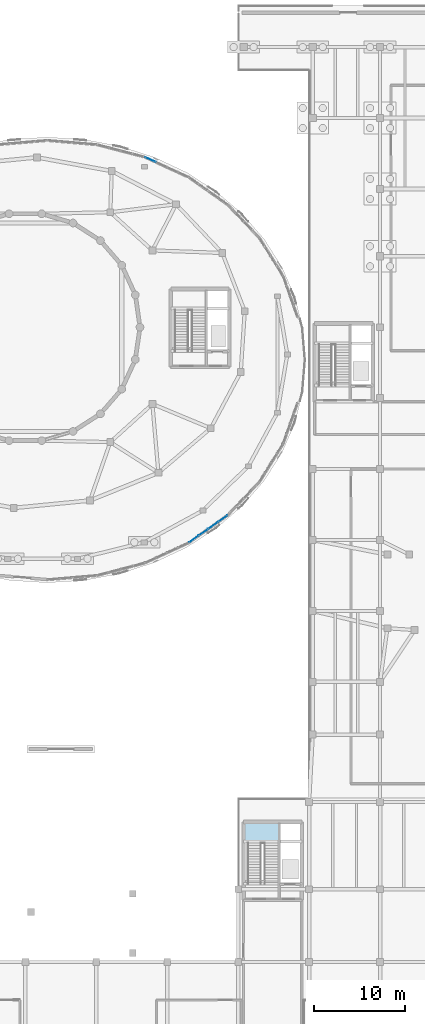
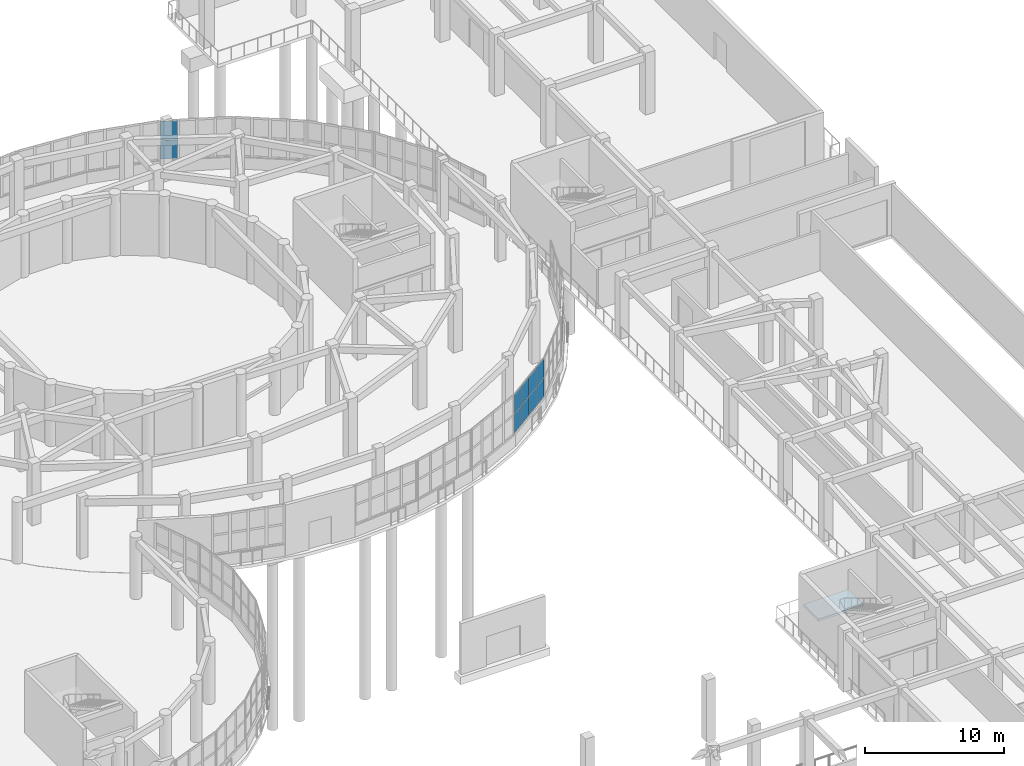
# One storey, part 67 of 96: 10 plates, 1 slab, 3 elements without a shape of their own.
"""IFC4 building model written with IfcOpenShell, lengths in metres."""

import ifcopenshell
import ifcopenshell.guid

model = None  # the IFC model being written
_history = None  # IfcOwnerHistory: only IFC2X3 demands one
_inside = {}  # id of a spatial element -> (the spatial element, [elements in it])
_under = {}  # id of a project, library or spatial element -> (it, [spatial elements below it])
_declared = {}  # id of a project -> (the project, [libraries it declares])
_typed = {}  # id of a type object -> (the type object, [elements of that type])
_made_of = {}  # id of a material, layer set ... -> (it, [elements and type objects made of it])


def new_model(schema):
    """Start an empty IFC model of exactly this schema.

    Asked for "IFC4X3", IfcOpenShell would pick the latest addendum, in which some entities
    have other attributes; the version numbers below select the first issue.
    IFC2X3 requires an IfcOwnerHistory on every rooted entity: one is made here for all.
    """
    global model, _history
    if schema == "IFC4X3":
        model = ifcopenshell.file(schema_version=(4, 3, 0, 0))
    else:
        model = ifcopenshell.file(schema=schema)
    _inside.clear()
    _under.clear()
    _declared.clear()
    _typed.clear()
    _made_of.clear()
    _history = None
    if model.schema == "IFC2X3":
        org = make("IfcOrganization", Name="unknown")
        user = make(
            "IfcPersonAndOrganization",
            ThePerson=make("IfcPerson", FamilyName="unknown"),
            TheOrganization=org,
        )
        app = make(
            "IfcApplication",
            ApplicationDeveloper=org,
            Version="unknown",
            ApplicationFullName="unknown",
            ApplicationIdentifier="unknown",
        )
        _history = make(
            "IfcOwnerHistory",
            OwningUser=user,
            OwningApplication=app,
            ChangeAction="ADDED",
            CreationDate=0,
        )
    return model


def make(cls, **values):
    """One entity of the class cls with the attributes given. An attribute that is None is left unset."""
    return model.create_entity(
        cls, **{name: value for name, value in values.items() if value is not None}
    )


def rooted(cls, **values):
    """An entity with a GlobalId (a new one), such as an element, a storey or a relation."""
    return make(cls, GlobalId=ifcopenshell.guid.new(), OwnerHistory=_history, **values)


def si_unit(unit_type, name, prefix=None):
    """IfcSIUnit, for example si_unit("LENGTHUNIT", "METRE", prefix="MILLI")."""
    return make("IfcSIUnit", UnitType=unit_type, Prefix=prefix, Name=name)


def assignment(units):
    """IfcUnitAssignment: the units of a project."""
    return None if units is None else make("IfcUnitAssignment", Units=units)


def point(xyz):
    """IfcCartesianPoint."""
    return None if xyz is None else make("IfcCartesianPoint", Coordinates=xyz)


def direction(xyz):
    """IfcDirection."""
    return None if xyz is None else make("IfcDirection", DirectionRatios=xyz)


def frame(location, z_axis=None, x_axis=None):
    """IfcAxis2Placement3D, a coordinate frame: its origin and axes. An axis left out is left unset."""
    return make(
        "IfcAxis2Placement3D",
        Location=point(location),
        Axis=direction(z_axis),
        RefDirection=direction(x_axis),
    )


def frame_2d(location, x_axis=None):
    """IfcAxis2Placement2D, a coordinate frame in the plane: its origin and x axis."""
    return make(
        "IfcAxis2Placement2D", Location=point(location), RefDirection=direction(x_axis)
    )


def origin():
    """The frame at (0, 0, 0) with its axes left unset."""
    return frame((0.0, 0.0, 0.0))


def origin_2d():
    """The frame at (0, 0) in the plane with its x axis left unset."""
    return frame_2d((0.0, 0.0))


def place(relative_to, where):
    """IfcLocalPlacement: puts the frame where relative to a parent placement (None: the world)."""
    return make(
        "IfcLocalPlacement", PlacementRelTo=relative_to, RelativePlacement=where
    )


def context(
    kind, dimensions, precision=None, world=None, true_north=None, identifier=None
):
    """IfcGeometricRepresentationContext, for example the 3D "Model" context."""
    return make(
        "IfcGeometricRepresentationContext",
        ContextIdentifier=identifier,
        ContextType=kind,
        CoordinateSpaceDimension=dimensions,
        Precision=precision,
        WorldCoordinateSystem=world,
        TrueNorth=true_north,
    )


def subcontext(parent, identifier, kind, view, scale=None):
    """IfcGeometricRepresentationSubContext, for example "Body" below "Model"."""
    return make(
        "IfcGeometricRepresentationSubContext",
        ContextIdentifier=identifier,
        ContextType=kind,
        ParentContext=parent,
        TargetScale=scale,
        TargetView=view,
    )


def project(units=None, contexts=None):
    """IfcProject with its units and contexts."""
    return rooted(
        "IfcProject",
        Name="project",
        RepresentationContexts=contexts,
        UnitsInContext=assignment(units),
    )


def spatial(cls, under=None, at=None, **own):
    """A site, building, storey or space (cls), placed at a placement, below another one or the project."""
    s = rooted(cls, ObjectPlacement=at, **own)
    if under is not None:
        _under.setdefault(under.id(), (under, []))[1].append(s)
    return s


def polyline(points):
    """IfcPolyline through the points."""
    return make("IfcPolyline", Points=[point(p) for p in points])


def profile(cls, at=None, kind="AREA", **sizes):
    """A parametric profile (cls). Its sizes go by their IFC names, for example OverallWidth=200.0."""
    return make(cls, ProfileType=kind, Position=at, **sizes)


def rectangle(**sizes):
    """IfcRectangleProfileDef."""
    return profile("IfcRectangleProfileDef", **sizes)


def outline(outer, holes=None, kind="AREA"):
    """IfcArbitraryClosedProfileDef: a profile drawn as a closed curve; with holes, ...WithVoids."""
    if holes is None:
        return make("IfcArbitraryClosedProfileDef", ProfileType=kind, OuterCurve=outer)
    return make(
        "IfcArbitraryProfileDefWithVoids",
        ProfileType=kind,
        OuterCurve=outer,
        InnerCurves=holes,
    )


def extrude(swept, where, along, depth):
    """IfcExtrudedAreaSolid: the profile swept, set in the frame where, extruded along a direction by depth."""
    return make(
        "IfcExtrudedAreaSolid",
        SweptArea=swept,
        Position=where,
        ExtrudedDirection=direction(along),
        Depth=depth,
    )


def shape(context_of_items, identifier, shape_type, items):
    """IfcShapeRepresentation: the items that make up one representation, for example the "Body"."""
    return make(
        "IfcShapeRepresentation",
        ContextOfItems=context_of_items,
        RepresentationIdentifier=identifier,
        RepresentationType=shape_type,
        Items=items,
    )


def material(Name=None, Category=None):
    """IfcMaterial."""
    return make("IfcMaterial", Name=Name, Category=Category)


def layer(
    of_material, thickness, ventilated=None, Name=None, Category=None, Priority=None
):
    """IfcMaterialLayer: one layer of a wall or slab, of a material (None: an air gap)."""
    return make(
        "IfcMaterialLayer",
        Material=of_material,
        LayerThickness=thickness,
        IsVentilated=ventilated,
        Name=Name,
        Category=Category,
        Priority=Priority,
    )


def layer_set(layers, Name=None):
    """IfcMaterialLayerSet."""
    return make("IfcMaterialLayerSet", MaterialLayers=layers, LayerSetName=Name)


def made_of(thing, what):
    """Note that an element or type object is made of a material, layer set ...; save() writes the relation."""
    if what is not None:
        _made_of.setdefault(what.id(), (what, []))[1].append(thing)
    return thing


def type_object(cls, material=None, **own):
    """A type object (cls), such as IfcWallType, which elements share."""
    return made_of(rooted(cls, **own), material)


def element(
    cls,
    number,
    at=None,
    inside=None,
    cuts=None,
    type_object=None,
    material=None,
    context=None,
    identifier="Body",
    shape_type=None,
    held_by="IfcProductDefinitionShape",
    body=None,
    shapes=None,
    **own,
):
    """One element of the class cls, such as IfcWall. Its Tag is "e" and its number.

    at: its placement. inside: the storey or other place that contains it. cuts: it is an
    opening in that element (IfcRelVoidsElement). A single representation is given by context,
    identifier, shape_type and body (its items); several are given by shapes. held_by: the class
    of the entity that holds the representations. save() writes the other relations.
    """
    e = rooted(cls, Tag="e%d" % number, ObjectPlacement=at, **own)
    if body is not None:
        shapes = [shape(context, identifier, shape_type, body)]
    if shapes is not None:
        e.Representation = make(held_by, Representations=shapes)
    if inside is not None:
        _inside.setdefault(inside.id(), (inside, []))[1].append(e)
    if cuts is not None:
        rooted(
            "IfcRelVoidsElement", RelatingBuildingElement=cuts, RelatedOpeningElement=e
        )
    if type_object is not None:
        _typed.setdefault(type_object.id(), (type_object, []))[1].append(e)
    return made_of(e, material)


def aggregate(whole, parts):
    """IfcRelAggregates: a whole, such as a stair, and the parts it consists of."""
    return rooted("IfcRelAggregates", RelatingObject=whole, RelatedObjects=parts)


def save(model, path):
    """Write the relations noted so far, then the file.

    IfcRelAggregates (storeys below a building ...), IfcRelContainedInSpatialStructure (elements
    in a storey), IfcRelDefinesByType, IfcRelAssociatesMaterial and IfcRelDeclares: one each for
    every whole, place, type object, material and project.
    """
    for whole, parts in _under.values():
        aggregate(whole, parts)
    for where, things in _inside.values():
        rooted(
            "IfcRelContainedInSpatialStructure",
            RelatedElements=things,
            RelatingStructure=where,
        )
    for kind, things in _typed.values():
        rooted("IfcRelDefinesByType", RelatedObjects=things, RelatingType=kind)
    for what, things in _made_of.values():
        rooted("IfcRelAssociatesMaterial", RelatedObjects=things, RelatingMaterial=what)
    for by, libraries in _declared.values():
        rooted("IfcRelDeclares", RelatingContext=by, RelatedDefinitions=libraries)
    model.write(path)


model = new_model("IFC4")

# Units and contexts
model_context = context("Model", 3, precision=1e-05, world=origin(), true_north=direction((0.0, 1.0)))
body_context = subcontext(model_context, "Body", "Model", "MODEL_VIEW")
ifc_project = project(units=[si_unit("LENGTHUNIT", "METRE"), si_unit("AREAUNIT", "SQUARE_METRE"), si_unit("VOLUMEUNIT", "CUBIC_METRE"), si_unit("PLANEANGLEUNIT", "RADIAN"), si_unit("MASSUNIT", "GRAM", prefix="KILO")], contexts=[model_context])

# Site, building, storey
site_placement = place(None, origin())
site = spatial("IfcSite", under=ifc_project, at=site_placement, CompositionType="ELEMENT")
building_placement = place(site_placement, origin())
building = spatial("IfcBuilding", under=site, at=building_placement, Name="Pelvatis Terrace Science Centre", CompositionType="ELEMENT")
storey_placement = place(building_placement, origin())
storey = spatial("IfcBuildingStorey", under=building, at=storey_placement, Name="L00", CompositionType="ELEMENT", Elevation=0.0)

# Curtain wall, plates
ifc_material_1 = material(Name="Bronze-anodised aluminium and laminated glass", Category="aluminium")
ifc_layer_1 = layer(ifc_material_1, 0.199951171875)
ifc_layer_set_1 = layer_set([ifc_layer_1], Name="Bronze-anodised aluminium and laminated glass")
curtain_wall_type = type_object("IfcCurtainWallType", Name="CW-RIBBON-B", PredefinedType="NOTDEFINED", material=ifc_layer_set_1)
curtain_wall_1_placement = place(storey_placement, origin())
curtain_wall_1 = element("IfcCurtainWall", 1, at=curtain_wall_1_placement, inside=storey, type_object=curtain_wall_type, Name="Ribbon curtain wall CW-105 (L00)", PredefinedType="NOTDEFINED")
ifc_material_2 = material(Name="Low-e laminated solar-control double glazing", Category="glass")
ifc_layer_2 = layer(ifc_material_2, 0.031982421875)
ifc_layer_set_2 = layer_set([ifc_layer_2], Name="Low-e laminated solar-control double glazing")
plate_type = type_object("IfcPlateType", Name="CWP-IGU-32", PredefinedType="CURTAIN_PANEL", material=ifc_layer_set_2)
plate_1_placement = place(storey_placement, frame((122.955322265625, 104.225830078125, 1.0849609375), z_axis=(0.0, 0.0, 1.0), x_axis=(-0.908421026067, 0.41805650264, 0.0)))
plate_1 = element("IfcPlate", 2, at=plate_1_placement, type_object=plate_type, Name="CW-105 panel 4.1", PredefinedType="CURTAIN_PANEL", context=body_context, shape_type="SweptSolid", body=[
    extrude(rectangle(XDim=1.237060546875, YDim=0.031982421875, at=origin_2d()), origin(), (0.0, 0.0, 1.0), 1.62255859375),
])
plate_2_placement = place(storey_placement, frame((122.955322265625, 104.225830078125, 2.7724609375), z_axis=(0.0, 0.0, 1.0), x_axis=(-0.908421026067, 0.41805650264, 0.0)))
plate_2 = element("IfcPlate", 3, at=plate_2_placement, type_object=plate_type, Name="CW-105 panel 4.2", PredefinedType="CURTAIN_PANEL", context=body_context, shape_type="SweptSolid", body=[
    extrude(rectangle(XDim=1.237060546875, YDim=0.031982421875, at=origin_2d()), origin(), (0.0, 0.0, 1.0), 1.62255859375),
])
aggregate(curtain_wall_1, [plate_1, plate_2])

curtain_wall_2_placement = place(storey_placement, origin())
curtain_wall_2 = element("IfcCurtainWall", 4, at=curtain_wall_2_placement, inside=storey, type_object=curtain_wall_type, Name="Ribbon curtain wall CW-122 (L00)", PredefinedType="NOTDEFINED")
plate_3_placement = place(storey_placement, frame((127.728271484375, 62.5048828125, 1.0849609375), z_axis=(0.0, 0.0, 1.0), x_axis=(0.816698338299, 0.577064835369, 0.0)))
plate_3 = element("IfcPlate", 5, at=plate_3_placement, type_object=plate_type, Name="CW-122 panel 1.1", PredefinedType="CURTAIN_PANEL", context=body_context, shape_type="SweptSolid", body=[
    extrude(rectangle(XDim=1.20361328125, YDim=0.031982421875, at=origin_2d()), origin(), (0.0, 0.0, 1.0), 1.62255859375),
])
plate_4_placement = place(storey_placement, frame((127.728271484375, 62.5048828125, 2.7724609375), z_axis=(0.0, 0.0, 1.0), x_axis=(0.816698338299, 0.577064835369, 0.0)))
plate_4 = element("IfcPlate", 6, at=plate_4_placement, type_object=plate_type, Name="CW-122 panel 1.2", PredefinedType="CURTAIN_PANEL", context=body_context, shape_type="SweptSolid", body=[
    extrude(rectangle(XDim=1.20361328125, YDim=0.031982421875, at=origin_2d()), origin(), (0.0, 0.0, 1.0), 1.62255859375),
])
plate_5_placement = place(storey_placement, frame((128.777587890625, 63.246337890625, 1.0849609375), z_axis=(0.0, 0.0, 1.0), x_axis=(0.816698338299, 0.577064835369, 0.0)))
plate_5 = element("IfcPlate", 7, at=plate_5_placement, type_object=plate_type, Name="CW-122 panel 2.1", PredefinedType="CURTAIN_PANEL", context=body_context, shape_type="SweptSolid", body=[
    extrude(rectangle(XDim=1.236083984375, YDim=0.031982421875, at=origin_2d()), origin(), (0.0, 0.0, 1.0), 1.62255859375),
])
plate_6_placement = place(storey_placement, frame((128.777587890625, 63.246337890625, 2.7724609375), z_axis=(0.0, 0.0, 1.0), x_axis=(0.816698338299, 0.577064835369, 0.0)))
plate_6 = element("IfcPlate", 8, at=plate_6_placement, type_object=plate_type, Name="CW-122 panel 2.2", PredefinedType="CURTAIN_PANEL", context=body_context, shape_type="SweptSolid", body=[
    extrude(rectangle(XDim=1.236083984375, YDim=0.031982421875, at=origin_2d()), origin(), (0.0, 0.0, 1.0), 1.62255859375),
])
plate_7_placement = place(storey_placement, frame((129.84033203125, 63.9970703125, 1.0849609375), z_axis=(0.0, 0.0, 1.0), x_axis=(0.816698338299, 0.577064835369, 0.0)))
plate_7 = element("IfcPlate", 9, at=plate_7_placement, type_object=plate_type, Name="CW-122 panel 3.1", PredefinedType="CURTAIN_PANEL", context=body_context, shape_type="SweptSolid", body=[
    extrude(rectangle(XDim=1.236083984375, YDim=0.031982421875, at=origin_2d()), origin(), (0.0, 0.0, 1.0), 1.62255859375),
])
plate_8_placement = place(storey_placement, frame((129.84033203125, 63.9970703125, 2.7724609375), z_axis=(0.0, 0.0, 1.0), x_axis=(0.816698338299, 0.577064835369, 0.0)))
plate_8 = element("IfcPlate", 10, at=plate_8_placement, type_object=plate_type, Name="CW-122 panel 3.2", PredefinedType="CURTAIN_PANEL", context=body_context, shape_type="SweptSolid", body=[
    extrude(rectangle(XDim=1.236083984375, YDim=0.031982421875, at=origin_2d()), origin(), (0.0, 0.0, 1.0), 1.62255859375),
])
plate_9_placement = place(storey_placement, frame((130.8896484375, 64.738525390625, 1.0849609375), z_axis=(0.0, 0.0, 1.0), x_axis=(0.816698338299, 0.577064835369, 0.0)))
plate_9 = element("IfcPlate", 11, at=plate_9_placement, type_object=plate_type, Name="CW-122 panel 4.1", PredefinedType="CURTAIN_PANEL", context=body_context, shape_type="SweptSolid", body=[
    extrude(rectangle(XDim=1.20361328125, YDim=0.031982421875, at=origin_2d()), origin(), (0.0, 0.0, 1.0), 1.62255859375),
])
plate_10_placement = place(storey_placement, frame((130.8896484375, 64.738525390625, 2.7724609375), z_axis=(0.0, 0.0, 1.0), x_axis=(0.816698338299, 0.577064835369, 0.0)))
plate_10 = element("IfcPlate", 12, at=plate_10_placement, type_object=plate_type, Name="CW-122 panel 4.2", PredefinedType="CURTAIN_PANEL", context=body_context, shape_type="SweptSolid", body=[
    extrude(rectangle(XDim=1.20361328125, YDim=0.031982421875, at=origin_2d()), origin(), (0.0, 0.0, 1.0), 1.62255859375),
])
aggregate(curtain_wall_2, [plate_3, plate_4, plate_5, plate_6, plate_7, plate_8, plate_9, plate_10])

# Stair, slab
ifc_material_3 = material(Name="Concrete C35/45", Category="concrete")
stair_type = type_object("IfcStairType", Name="STR-2RUN-1500-54", PredefinedType="TWO_STRAIGHT_RUN_STAIR", material=ifc_material_3)
stair_placement = place(storey_placement, origin())
stair = element("IfcStair", 13, at=stair_placement, inside=storey, type_object=stair_type, Name="Protected core stair ST-04-L00", PredefinedType="TWO_STRAIGHT_RUN_STAIR")
ifc_material_4 = material(Name="Concrete C35/45", Category="concrete")
ifc_layer_3 = layer(ifc_material_4, 0.199951171875)
ifc_layer_set_3 = layer_set([ifc_layer_3], Name="Concrete C35/45")
slab_type = type_object("IfcSlabType", Name="SLB-LND-200", PredefinedType="LANDING", material=ifc_layer_set_3)
slab_placement = place(storey_placement, frame((0.0, 0.0, 2.5)))
slab = element("IfcSlab", 14, at=slab_placement, type_object=slab_type, Name="ST-04-L00 landing 1", PredefinedType="LANDING", context=body_context, shape_type="SweptSolid", body=[
    extrude(outline(polyline([(133.330078125, 29.10009765625), (137.050048828125, 29.10009765625), (137.050048828125, 31.27001953125), (133.330078125, 31.27001953125), (133.330078125, 29.10009765625)])), origin(), (0.0, 0.0, 1.0), 0.199951171875),
])
aggregate(stair, [slab])

save(model, "model.ifc")
